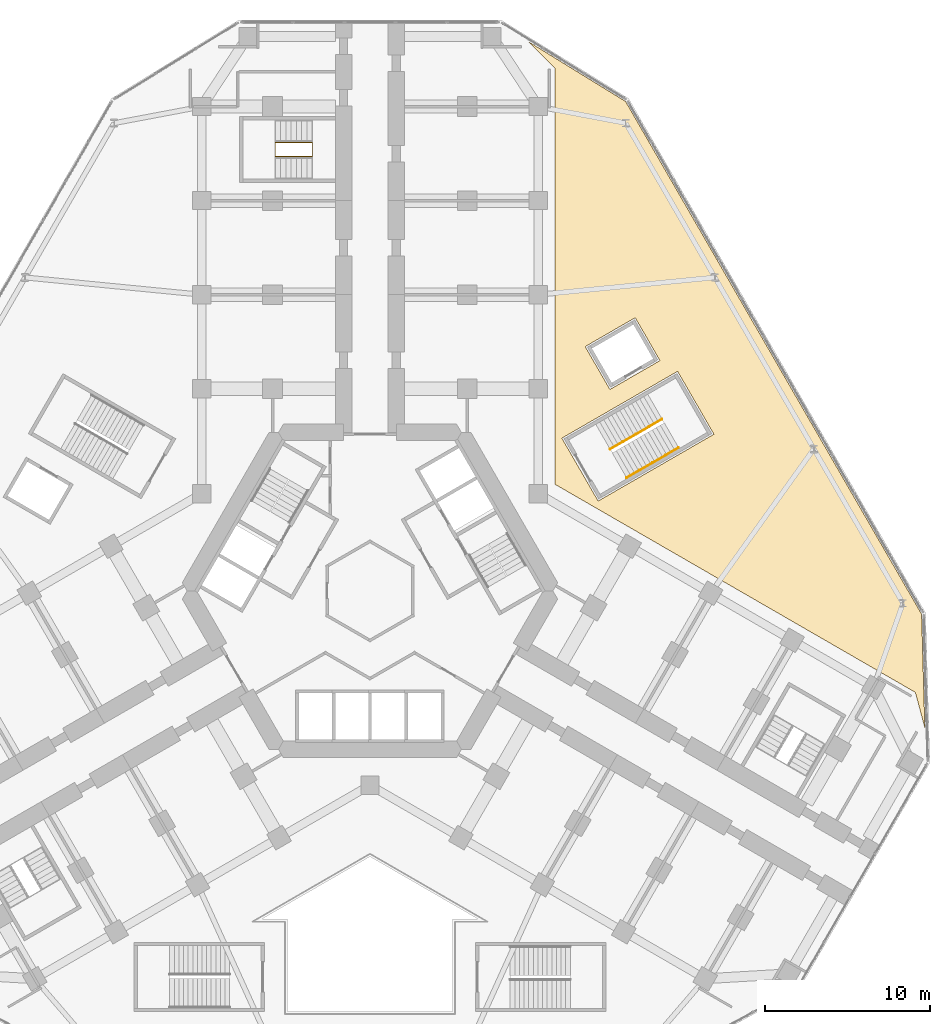
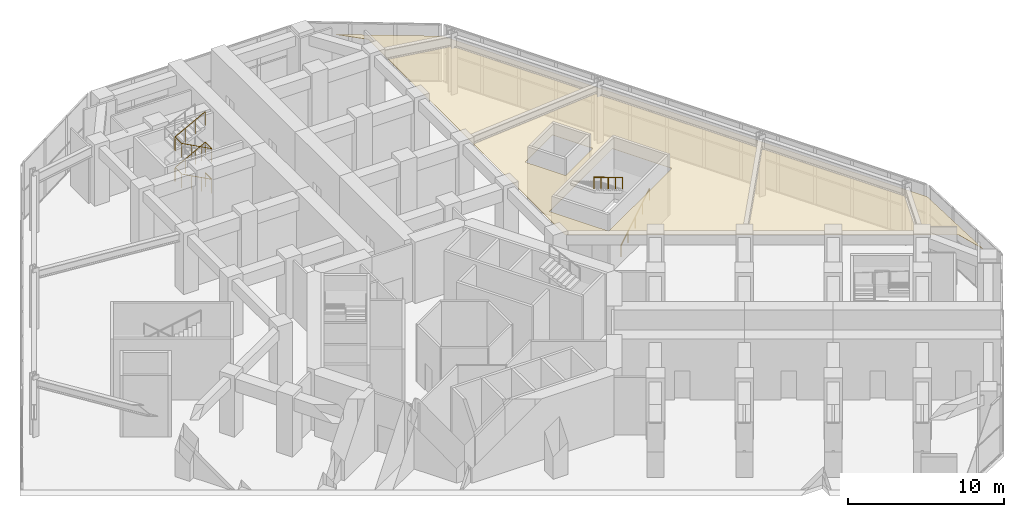
# One storey, part 22 of 22: 3 railings, 1 covering.
"""IFC4 building model written with IfcOpenShell, lengths in metres."""

from ifc_helpers import new_model, si_unit, direction, frame, origin, origin_2d, place, context, subcontext, project, spatial, polyline, circle, outline, extrude, material, layer, layer_set, type_object, element, save


model = new_model("IFC4")

# Units and contexts
model_context = context("Model", 3, precision=1e-05, world=origin(), true_north=direction((0.0, 1.0)))
body_context = subcontext(model_context, "Body", "Model", "MODEL_VIEW")
ifc_project = project(units=[si_unit("LENGTHUNIT", "METRE"), si_unit("AREAUNIT", "SQUARE_METRE"), si_unit("VOLUMEUNIT", "CUBIC_METRE"), si_unit("PLANEANGLEUNIT", "RADIAN"), si_unit("MASSUNIT", "GRAM", prefix="KILO")], contexts=[model_context])

# Site, building, storey
site_placement = place(None, origin())
site = spatial("IfcSite", under=ifc_project, at=site_placement, CompositionType="ELEMENT")
building_placement = place(site_placement, origin())
building = spatial("IfcBuilding", under=site, at=building_placement, Name="Kosmar Iwan School Tower", CompositionType="ELEMENT")
storey_placement = place(building_placement, frame((0.0, 0.0, 10.800048828125)))
storey = spatial("IfcBuildingStorey", under=building, at=storey_placement, Name="L02", CompositionType="ELEMENT", Elevation=10.800048828125)

# Covering
ifc_material_1 = material(Name="Mineral fibre acoustic tiles")
ifc_layer = layer(ifc_material_1, 0.02490234375)
ifc_layer_set = layer_set([ifc_layer], Name="Acoustic ceiling")
covering_type = type_object("IfcCoveringType", Name="Acoustic ceiling", PredefinedType="CEILING", material=ifc_layer_set)
covering_placement = place(storey_placement, frame((0.0, 0.0, 3.599853515625)))
element("IfcCovering", 1, at=covering_placement, inside=storey, type_object=covering_type, Name="Ceiling Library L02-IAC", PredefinedType="CEILING", context=body_context, shape_type="SweptSolid", body=[
    extrude(outline(polyline([(33.629150390625, -8.29052734375), (33.43359375, -1.40869140625), (15.496826171875, 29.65869140625), (9.634521484375, 33.26904296875), (11.199951171875, 31.70361328125), (11.199951171875, 6.46630859375), (33.05615234375, -6.15234375), (33.629150390625, -8.29052734375)]), holes=[polyline([(18.645263671875, 13.30517578125), (11.630615234375, 9.25537109375), (13.83056640625, 5.44482421875), (20.845458984375, 9.49462890625), (18.645263671875, 13.30517578125)]), polyline([(17.57568359375, 13.957763671875), (16.07568359375, 16.555908203125), (13.044677734375, 14.805908203125), (14.544677734375, 12.207763671875), (17.57568359375, 13.957763671875)])]), origin(), (0.0, 0.0, 1.0), 0.025146484375),
])

# Railings
ifc_material_2 = material(Name="Black steel", Category="steel")
railing_type_1 = type_object("IfcRailingType", Name="Stair handrail 900", PredefinedType="HANDRAIL", material=ifc_material_2)
railing_1_placement = place(storey_placement, frame((15.555908203125, 6.8564453125, 0.17138671875)))
element("IfcRailing", 2, at=railing_1_placement, inside=storey, type_object=railing_type_1, Name="Handrail SS3 flight 1", PredefinedType="HANDRAIL", context=body_context, shape_type="SweptSolid", body=[
    extrude(circle(Radius=0.02392578125, at=origin_2d()), frame((0.0, 0.0, 0.8759765625), z_axis=(0.738592093898, 0.426440834883, 0.522139764025), x_axis=(-0.500012742938, 0.866018046521, 0.0)), (0.0, 0.0, 1.0), 4.26806640625),
    extrude(circle(Radius=0.02099609375, at=origin_2d()), origin(), (0.0, 0.0, 1.0), 0.851806640625),
    extrude(circle(Radius=0.02099609375, at=origin_2d()), frame((0.7880859375, 0.455078125, 0.55712890625)), (0.0, 0.0, 1.0), 0.851806640625),
    extrude(circle(Radius=0.02099609375, at=origin_2d()), frame((1.576171875, 0.91015625, 1.1142578125)), (0.0, 0.0, 1.0), 0.851806640625),
    extrude(circle(Radius=0.02099609375, at=origin_2d()), frame((2.3642578125, 1.364990234375, 1.67138671875)), (0.0, 0.0, 1.0), 0.851806640625),
    extrude(circle(Radius=0.02099609375, at=origin_2d()), frame((3.15234375, 1.820068359375, 2.228515625)), (0.0, 0.0, 1.0), 0.851806640625),
])
railing_2_placement = place(storey_placement, frame((17.708251953125, 10.408447265625, 2.5712890625)))
element("IfcRailing", 3, at=railing_2_placement, inside=storey, type_object=railing_type_1, Name="Handrail SS3 flight 2", PredefinedType="HANDRAIL", context=body_context, shape_type="SweptSolid", body=[
    extrude(circle(Radius=0.02392578125, at=origin_2d()), frame((0.0, 0.0, 0.8759765625), z_axis=(-0.738588048336, -0.426381297421, 0.522194105736), x_axis=(0.499962438169, -0.866047089031, 0.0)), (0.0, 0.0, 1.0), 4.26806640625),
    extrude(circle(Radius=0.02099609375, at=origin_2d()), origin(), (0.0, 0.0, 1.0), 0.851806640625),
    extrude(circle(Radius=0.02099609375, at=origin_2d()), frame((-0.7880859375, -0.455078125, 0.55712890625)), (0.0, 0.0, 1.0), 0.851806640625),
    extrude(circle(Radius=0.02099609375, at=origin_2d()), frame((-1.576171875, -0.909912109375, 1.1142578125)), (0.0, 0.0, 1.0), 0.851806640625),
    extrude(circle(Radius=0.02099609375, at=origin_2d()), frame((-2.3642578125, -1.36474609375, 1.671630859375)), (0.0, 0.0, 1.0), 0.851806640625),
    extrude(circle(Radius=0.02099609375, at=origin_2d()), frame((-3.15234375, -1.81982421875, 2.228759765625)), (0.0, 0.0, 1.0), 0.851806640625),
])
ifc_material_3 = material(Name="Black steel", Category="steel")
railing_type_2 = type_object("IfcRailingType", Name="Stair well guard 1100", PredefinedType="GUARDRAIL", material=ifc_material_3)
railing_3_placement = place(storey_placement, frame((-3.5, 27.169921875, 0.0)))
element("IfcRailing", 4, at=railing_3_placement, inside=storey, type_object=railing_type_2, Name="Stair WS1 L02 well guard", PredefinedType="GUARDRAIL", context=body_context, shape_type="SweptSolid", body=[
    extrude(circle(Radius=0.02392578125, at=origin_2d()), frame((0.0, 0.0, 1.076171875), z_axis=(0.0, -1.0, 0.0), x_axis=(1.0, 0.0, 0.0)), (0.0, 0.0, 1.0), 0.83984375),
    extrude(circle(Radius=0.02392578125, at=origin_2d()), frame((0.0, -0.83984375, 1.076171875), z_axis=(-0.881487111273, 0.0, 0.472208081951), x_axis=(0.0, -1.0, 0.0)), (0.0, 0.0, 1.0), 2.541259765625),
    extrude(circle(Radius=0.02392578125, at=origin_2d()), frame((-2.239990234375, -0.83984375, 2.27587890625), z_axis=(0.0, 1.0, 0.0), x_axis=(-1.0, 0.0, 0.0)), (0.0, 0.0, 1.0), 0.83984375),
    extrude(circle(Radius=0.02392578125, at=origin_2d()), frame((-2.239990234375, 0.0, 2.27587890625), z_axis=(0.881487111273, 0.0, 0.472208081951), x_axis=(0.0, 1.0, 0.0)), (0.0, 0.0, 1.0), 2.541259765625),
    extrude(circle(Radius=0.02392578125, at=origin_2d()), frame((0.0, 0.0, 3.47607421875), z_axis=(0.0, -1.0, 0.0), x_axis=(1.0, 0.0, 0.0)), (0.0, 0.0, 1.0), 0.83984375),
    extrude(circle(Radius=0.02392578125, at=origin_2d()), frame((0.0, -0.83984375, 3.47607421875), z_axis=(-0.881487111273, 0.0, 0.472208081951), x_axis=(0.0, -1.0, 0.0)), (0.0, 0.0, 1.0), 2.541259765625),
    extrude(circle(Radius=0.02392578125, at=origin_2d()), frame((-2.239990234375, -0.83984375, 4.67578125), z_axis=(0.0, 1.0, 0.0), x_axis=(-1.0, 0.0, 0.0)), (0.0, 0.0, 1.0), 0.83984375),
    extrude(circle(Radius=0.02392578125, at=origin_2d()), frame((-2.239990234375, 0.0, 4.67578125), z_axis=(0.881447119201, 0.0, 0.472282728937), x_axis=(0.0, 1.0, 0.0)), (0.0, 0.0, 1.0), 2.541259765625),
    extrude(circle(Radius=0.02099609375, at=origin_2d()), origin(), (0.0, 0.0, 1.0), 1.052001953125),
    extrude(circle(Radius=0.02099609375, at=origin_2d()), frame((0.0, -0.83984375, 0.0)), (0.0, 0.0, 1.0), 1.052001953125),
    extrude(circle(Radius=0.02099609375, at=origin_2d()), frame((-0.74658203125, -0.83984375, 0.39990234375)), (0.0, 0.0, 1.0), 1.052001953125),
    extrude(circle(Radius=0.02099609375, at=origin_2d()), frame((-1.493408203125, -0.83984375, 0.800048828125)), (0.0, 0.0, 1.0), 1.052001953125),
    extrude(circle(Radius=0.02099609375, at=origin_2d()), frame((-2.239990234375, -0.83984375, 1.199951171875)), (0.0, 0.0, 1.0), 1.052001953125),
    extrude(circle(Radius=0.02099609375, at=origin_2d()), frame((-2.239990234375, 0.0, 1.199951171875)), (0.0, 0.0, 1.0), 1.052001953125),
    extrude(circle(Radius=0.02099609375, at=origin_2d()), frame((-1.493408203125, 0.0, 1.599853515625)), (0.0, 0.0, 1.0), 1.052001953125),
    extrude(circle(Radius=0.02099609375, at=origin_2d()), frame((-0.74658203125, 0.0, 2.0)), (0.0, 0.0, 1.0), 1.052001953125),
    extrude(circle(Radius=0.02099609375, at=origin_2d()), frame((0.0, 0.0, 2.39990234375)), (0.0, 0.0, 1.0), 1.052001953125),
    extrude(circle(Radius=0.02099609375, at=origin_2d()), frame((0.0, -0.83984375, 2.39990234375)), (0.0, 0.0, 1.0), 1.052001953125),
    extrude(circle(Radius=0.02099609375, at=origin_2d()), frame((-0.74658203125, -0.83984375, 2.7998046875)), (0.0, 0.0, 1.0), 1.052001953125),
    extrude(circle(Radius=0.02099609375, at=origin_2d()), frame((-1.493408203125, -0.83984375, 3.199951171875)), (0.0, 0.0, 1.0), 1.052001953125),
    extrude(circle(Radius=0.02099609375, at=origin_2d()), frame((-2.239990234375, -0.83984375, 3.599853515625)), (0.0, 0.0, 1.0), 1.052001953125),
    extrude(circle(Radius=0.02099609375, at=origin_2d()), frame((-2.239990234375, 0.0, 3.599853515625)), (0.0, 0.0, 1.0), 1.052001953125),
    extrude(circle(Radius=0.02099609375, at=origin_2d()), frame((-1.493408203125, 0.0, 4.0)), (0.0, 0.0, 1.0), 1.052001953125),
    extrude(circle(Radius=0.02099609375, at=origin_2d()), frame((-0.74658203125, 0.0, 4.39990234375)), (0.0, 0.0, 1.0), 1.052001953125),
    extrude(circle(Radius=0.02099609375, at=origin_2d()), frame((0.0, 0.0, 4.800048828125)), (0.0, 0.0, 1.0), 1.052001953125),
])

save(model, "model.ifc")
